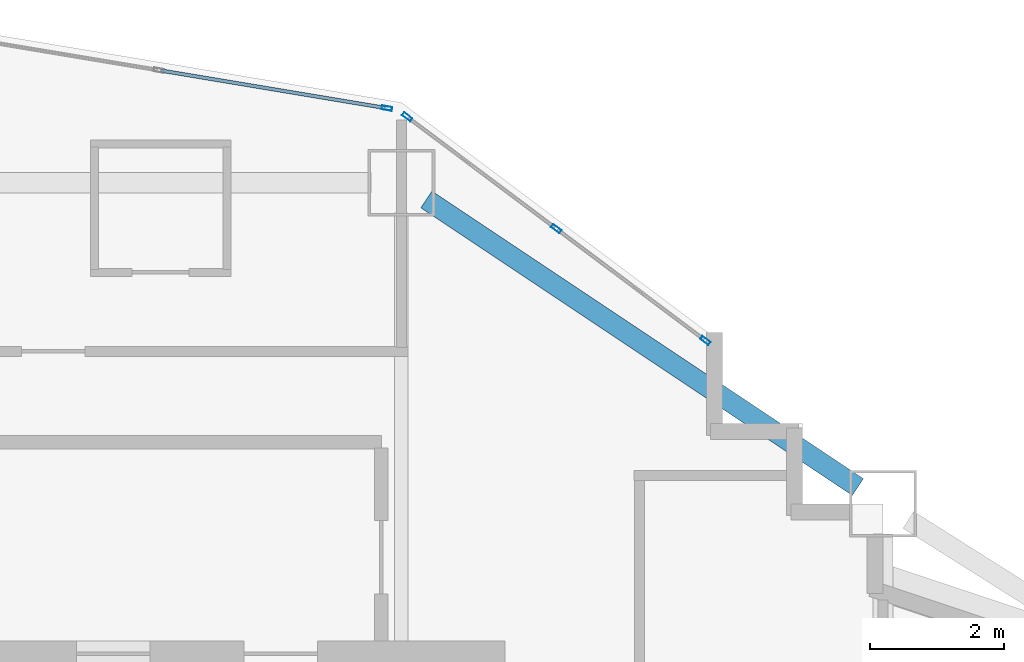
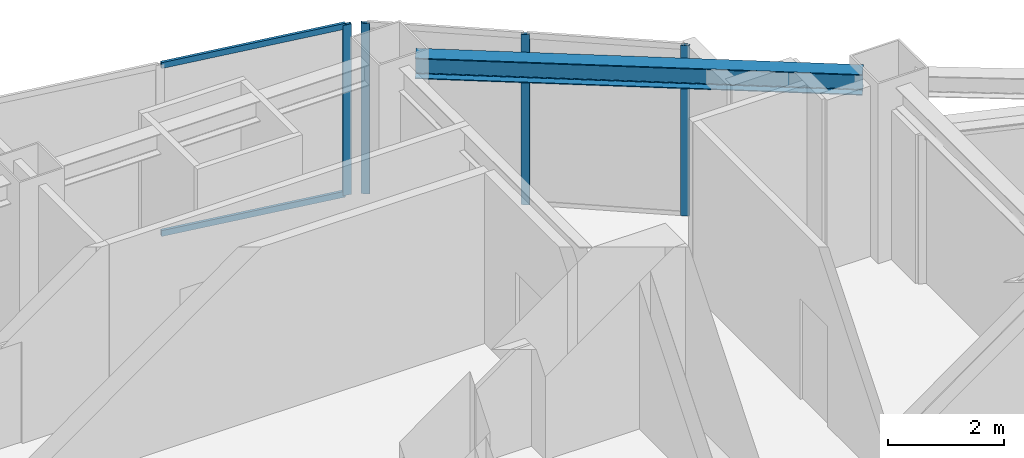
# One storey, part 3 of 13: 6 members, 1 beam, 2 elements without a shape of their own.
"""IFC4 building model written with IfcOpenShell, lengths in metres."""

from ifc_helpers import new_model, si_unit, direction, frame, origin, origin_2d, place, context, subcontext, project, spatial, hollow_rectangle, i_section, extrude, material, layer, layer_set, material_profile, profile_set, type_object, element, aggregate, save


model = new_model("IFC4")

# Units and contexts
model_context = context("Model", 3, precision=1e-05, world=origin(), true_north=direction((0.0, 1.0)))
body_context = subcontext(model_context, "Body", "Model", "MODEL_VIEW")
ifc_project = project(units=[si_unit("LENGTHUNIT", "METRE"), si_unit("AREAUNIT", "SQUARE_METRE"), si_unit("VOLUMEUNIT", "CUBIC_METRE"), si_unit("PLANEANGLEUNIT", "RADIAN"), si_unit("MASSUNIT", "GRAM", prefix="KILO")], contexts=[model_context])

# Site, building, storey
site_placement = place(None, origin())
site = spatial("IfcSite", under=ifc_project, at=site_placement, CompositionType="ELEMENT")
building_placement = place(site_placement, origin())
building = spatial("IfcBuilding", under=site, at=building_placement, Name="Haolan Belvedere Tower", CompositionType="ELEMENT")
storey_placement = place(building_placement, frame((0.0, 0.0, 102.199951171875)))
storey = spatial("IfcBuildingStorey", under=building, at=storey_placement, Name="L25", CompositionType="ELEMENT", Elevation=102.199951171875)

# Beam
ifc_material_1 = material(Name="Steel Q355B", Category="steel")
ifc_material_profile_1 = material_profile(ifc_material_1, i_section(OverallWidth=0.300048828125, OverallDepth=0.43994140625, WebThickness=0.010986328125, FlangeThickness=0.01806640625, FilletRadius=0.02392578125, at=origin_2d()), Name="Steel Q355B")
ifc_profile_set_1 = profile_set([ifc_material_profile_1], Name="Steel Q355B")
beam_type = type_object("IfcBeamType", Name="BM-HM440x300x11x18", PredefinedType="SPANDREL", material=ifc_profile_set_1)
beam_placement = place(storey_placement, frame((45.974365234375, 50.150390625, 3.380126953125), z_axis=(0.832050294338, -0.554700196225, 0.0), x_axis=(0.554700196225, 0.832050294338, 0.0)))
element("IfcBeam", 1, at=beam_placement, inside=storey, type_object=beam_type, Name="L25 spandrel girder MC-T3-N2-MC-T3-NE", PredefinedType="SPANDREL", context=body_context, shape_type="SweptSolid", body=[
    extrude(i_section(OverallWidth=0.300048828125, OverallDepth=0.43994140625, WebThickness=0.010986328125, FlangeThickness=0.01806640625, FilletRadius=0.02392578125, at=origin_2d()), origin(), (0.0, 0.0, 1.0), 7.75341796875),
])

# Curtain wall, members
ifc_material_2 = material(Name="Anodised champagne-silver aluminium 6063-T6 and Low-E glass", Category="aluminium")
ifc_layer = layer(ifc_material_2, 0.155029296875, Name="Anodised champagne-silver aluminium 6063-T6 and Low-E glass")
ifc_layer_set = layer_set([ifc_layer], Name="Anodised champagne-silver aluminium 6063-T6 and Low-E glass")
curtain_wall_type = type_object("IfcCurtainWallType", Name="CW-SYS-03", PredefinedType="NOTDEFINED", material=ifc_layer_set)
curtain_wall_1_placement = place(storey_placement, origin())
curtain_wall_1 = element("IfcCurtainWall", 2, at=curtain_wall_1_placement, inside=storey, type_object=curtain_wall_type, Name="L25 CW-SYS-03 ribbon curtain wall 26.1", PredefinedType="NOTDEFINED")
ifc_material_3 = material(Name="Anodised aluminium 6063-T6", Category="aluminium")
ifc_material_profile_2 = material_profile(ifc_material_3, hollow_rectangle(XDim=0.05810546875, YDim=0.155029296875, WallThickness=0.00390625, at=origin_2d()), Name="Anodised aluminium 6063-T6")
ifc_profile_set_2 = profile_set([ifc_material_profile_2], Name="Anodised aluminium 6063-T6")
member_type_1 = type_object("IfcMemberType", Name="CW-SYS-03-MUL", PredefinedType="MULLION", material=ifc_profile_set_2)
member_1_placement = place(storey_placement, frame((50.144775390625, 48.04150390625, 0.0), z_axis=(0.0, 0.0, 1.0), x_axis=(-0.599994316874, -0.800004262313, 0.0)))
member_1 = element("IfcMember", 3, at=member_1_placement, type_object=member_type_1, Name="CW-03 mullion 1", PredefinedType="MULLION", context=body_context, shape_type="SweptSolid", body=[
    extrude(hollow_rectangle(XDim=0.05810546875, YDim=0.155029296875, WallThickness=0.00390625, at=origin_2d()), origin(), (0.0, 0.0, 1.0), 3.60009765625),
])
member_2_placement = place(storey_placement, frame((47.915771484375, 49.713134765625, 0.0), z_axis=(0.0, 0.0, 1.0), x_axis=(-0.599994316874, -0.800004262313, 0.0)))
member_2 = element("IfcMember", 4, at=member_2_placement, type_object=member_type_1, Name="CW-03 mullion 2", PredefinedType="MULLION", context=body_context, shape_type="SweptSolid", body=[
    extrude(hollow_rectangle(XDim=0.05810546875, YDim=0.155029296875, WallThickness=0.00390625, at=origin_2d()), origin(), (0.0, 0.0, 1.0), 3.60009765625),
])
member_3_placement = place(storey_placement, frame((45.6865234375, 51.385009765625, 0.0), z_axis=(0.0, 0.0, 1.0), x_axis=(-0.599994316874, -0.800004262313, 0.0)))
member_3 = element("IfcMember", 5, at=member_3_placement, type_object=member_type_1, Name="CW-03 mullion 3", PredefinedType="MULLION", context=body_context, shape_type="SweptSolid", body=[
    extrude(hollow_rectangle(XDim=0.05810546875, YDim=0.155029296875, WallThickness=0.00390625, at=origin_2d()), origin(), (0.0, 0.0, 1.0), 3.60009765625),
])
aggregate(curtain_wall_1, [member_1, member_2, member_3])

curtain_wall_2_placement = place(storey_placement, origin())
curtain_wall_2 = element("IfcCurtainWall", 6, at=curtain_wall_2_placement, inside=storey, type_object=curtain_wall_type, Name="L25 CW-SYS-03 ribbon curtain wall 27.1", PredefinedType="NOTDEFINED")
member_4_placement = place(storey_placement, frame((45.384765625, 51.51416015625, 0.0), z_axis=(0.0, 0.0, 1.0), x_axis=(-0.16440364043, -0.9863931483, 0.0)))
member_4 = element("IfcMember", 7, at=member_4_placement, type_object=member_type_1, Name="CW-03 mullion 1", PredefinedType="MULLION", context=body_context, shape_type="SweptSolid", body=[
    extrude(hollow_rectangle(XDim=0.05810546875, YDim=0.155029296875, WallThickness=0.00390625, at=origin_2d()), origin(), (0.0, 0.0, 1.0), 3.60009765625),
])
ifc_material_profile_3 = material_profile(ifc_material_3, hollow_rectangle(XDim=0.053955078125, YDim=0.125, WallThickness=0.00390625, at=origin_2d()), Name="Anodised aluminium 6063-T6")
ifc_profile_set_3 = profile_set([ifc_material_profile_3], Name="Anodised aluminium 6063-T6")
member_type_2 = type_object("IfcMemberType", Name="CW-SYS-03-TRN", PredefinedType="USERDEFINED", material=ifc_profile_set_3)
member_5_placement = place(storey_placement, frame((45.356201171875, 51.51904296875, 0.027099609375), z_axis=(-0.986395865591, 0.16438733633, 0.0), x_axis=(-0.16438733633, -0.986395865591, 0.0)))
member_5 = element("IfcMember", 8, at=member_5_placement, type_object=member_type_2, Name="CW-03 transom 1.1", ObjectType="TRANSOM", PredefinedType="USERDEFINED", context=body_context, shape_type="SweptSolid", body=[
    extrude(hollow_rectangle(XDim=0.053955078125, YDim=0.125, WallThickness=0.00390625, at=origin_2d()), origin(), (0.0, 0.0, 1.0), 3.39794921875),
])
member_6_placement = place(storey_placement, frame((45.356201171875, 51.51904296875, 3.572998046875), z_axis=(-0.986395865591, 0.16438733633, 0.0), x_axis=(-0.16438733633, -0.986395865591, 0.0)))
member_6 = element("IfcMember", 9, at=member_6_placement, type_object=member_type_2, Name="CW-03 transom 1.2", ObjectType="TRANSOM", PredefinedType="USERDEFINED", context=body_context, shape_type="SweptSolid", body=[
    extrude(hollow_rectangle(XDim=0.053955078125, YDim=0.125, WallThickness=0.00390625, at=origin_2d()), origin(), (0.0, 0.0, 1.0), 3.39794921875),
])
aggregate(curtain_wall_2, [member_4, member_5, member_6])

save(model, "model.ifc")
